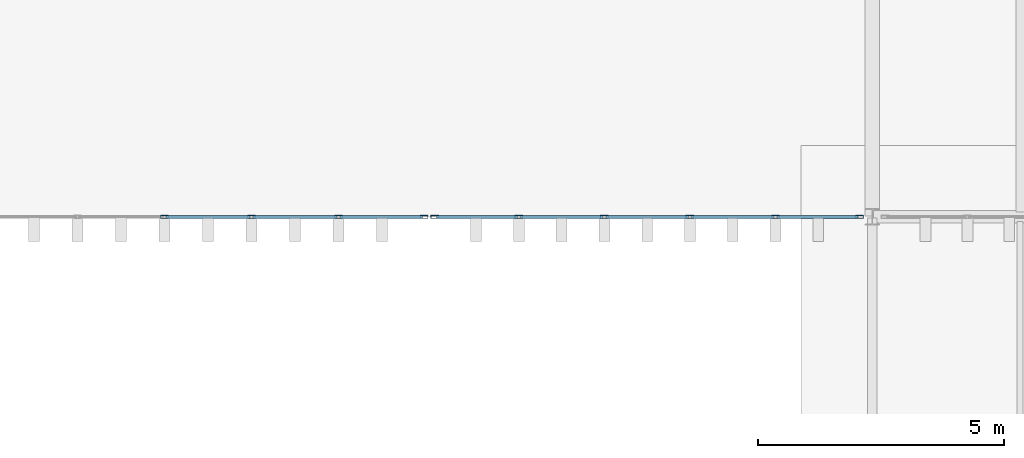
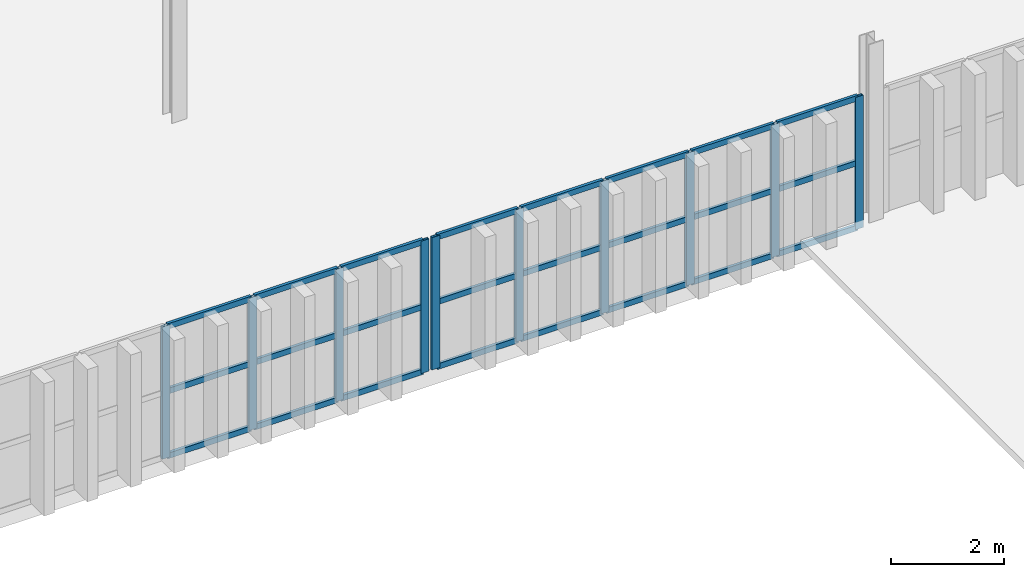
# One storey, part 26 of 102: 34 members, 2 elements without a shape of their own.
"""IFC4 building model written with IfcOpenShell, lengths in metres."""

from ifc_helpers import new_model, si_unit, direction, frame, origin, origin_2d, place, context, subcontext, project, spatial, hollow_rectangle, extrude, material, layer, layer_set, material_profile, profile_set, type_object, element, aggregate, save


model = new_model("IFC4")

# Units and contexts
model_context = context("Model", 3, precision=1e-05, world=origin(), true_north=direction((0.0, 1.0)))
body_context = subcontext(model_context, "Body", "Model", "MODEL_VIEW")
ifc_project = project(units=[si_unit("LENGTHUNIT", "METRE"), si_unit("AREAUNIT", "SQUARE_METRE"), si_unit("VOLUMEUNIT", "CUBIC_METRE"), si_unit("PLANEANGLEUNIT", "RADIAN"), si_unit("MASSUNIT", "GRAM", prefix="KILO")], contexts=[model_context])

# Site, building, storey
site_placement = place(None, origin())
site = spatial("IfcSite", under=ifc_project, at=site_placement, CompositionType="ELEMENT")
building_placement = place(site_placement, origin())
building = spatial("IfcBuilding", under=site, at=building_placement, Name="Barlavento Convention Centre", CompositionType="ELEMENT")
storey_placement = place(building_placement, frame((0.0, 0.0, 22.800048828125)))
storey = spatial("IfcBuildingStorey", under=building, at=storey_placement, Name="L04", CompositionType="ELEMENT", Elevation=22.800048828125)

# Curtain wall, members
ifc_material_1 = material(Name="Powder-coated aluminium and Low-E glass", Category="aluminium")
ifc_layer = layer(ifc_material_1, 0.18505859375)
ifc_layer_set = layer_set([ifc_layer], Name="ARC-CW-CONF-L04")
curtain_wall_type = type_object("IfcCurtainWallType", Name="ARC-CW-CONF-L04", PredefinedType="NOTDEFINED", material=ifc_layer_set)
curtain_wall_1_placement = place(storey_placement, origin())
curtain_wall_1 = element("IfcCurtainWall", 1, at=curtain_wall_1_placement, inside=storey, type_object=curtain_wall_type, Name="L04 unitised curtain wall CW09", PredefinedType="NOTDEFINED")
ifc_material_2 = material(Name="Powder-coated aluminium", Category="aluminium")
ifc_material_profile_1 = material_profile(ifc_material_2, hollow_rectangle(XDim=0.06005859375, YDim=0.159912109375, WallThickness=0.00390625, at=origin_2d()), Name="AL-MULL 60x160x4")
ifc_profile_set_1 = profile_set([ifc_material_profile_1], Name="Powder-coated aluminium")
member_type_1 = type_object("IfcMemberType", Name="ARC-CWM-60X160", PredefinedType="MULLION", material=ifc_profile_set_1)
member_1_placement = place(storey_placement, frame((156.615966796875, 27.0, 0.0), z_axis=(0.0, 0.0, 1.0), x_axis=(0.0, 1.0, 0.0)))
member_1 = element("IfcMember", 2, at=member_1_placement, type_object=member_type_1, Name="CW09 mullion 3", PredefinedType="MULLION", context=body_context, shape_type="SweptSolid", body=[
    extrude(hollow_rectangle(XDim=0.06005859375, YDim=0.159912109375, WallThickness=0.00390625, at=origin_2d()), origin(), (0.0, 0.0, 1.0), 2.849853515625),
])
member_2_placement = place(storey_placement, frame((158.384033203125, 27.0, 0.0), z_axis=(0.0, 0.0, 1.0), x_axis=(0.0, 1.0, 0.0)))
member_2 = element("IfcMember", 3, at=member_2_placement, type_object=member_type_1, Name="CW09 mullion 4", PredefinedType="MULLION", context=body_context, shape_type="SweptSolid", body=[
    extrude(hollow_rectangle(XDim=0.06005859375, YDim=0.159912109375, WallThickness=0.00390625, at=origin_2d()), origin(), (0.0, 0.0, 1.0), 2.849853515625),
])
member_3_placement = place(storey_placement, frame((160.152099609375, 27.0, 0.0), z_axis=(0.0, 0.0, 1.0), x_axis=(0.0, 1.0, 0.0)))
member_3 = element("IfcMember", 4, at=member_3_placement, type_object=member_type_1, Name="CW09 mullion 5", PredefinedType="MULLION", context=body_context, shape_type="SweptSolid", body=[
    extrude(hollow_rectangle(XDim=0.06005859375, YDim=0.159912109375, WallThickness=0.00390625, at=origin_2d()), origin(), (0.0, 0.0, 1.0), 2.849853515625),
])
member_4_placement = place(storey_placement, frame((161.889892578125, 27.0, 0.0), z_axis=(0.0, 0.0, 1.0), x_axis=(0.0, 1.0, 0.0)))
member_4 = element("IfcMember", 5, at=member_4_placement, type_object=member_type_1, Name="CW09 mullion 6", PredefinedType="MULLION", context=body_context, shape_type="SweptSolid", body=[
    extrude(hollow_rectangle(XDim=0.06005859375, YDim=0.159912109375, WallThickness=0.00390625, at=origin_2d()), origin(), (0.0, 0.0, 1.0), 2.849853515625),
])

curtain_wall_2_placement = place(storey_placement, origin())
curtain_wall_2 = element("IfcCurtainWall", 6, at=curtain_wall_2_placement, inside=storey, type_object=curtain_wall_type, Name="L04 unitised curtain wall CW09", PredefinedType="NOTDEFINED")
member_5_placement = place(storey_placement, frame((162.110107421875, 27.0, 0.0), z_axis=(0.0, 0.0, 1.0), x_axis=(0.0, 1.0, 0.0)))
member_5 = element("IfcMember", 7, at=member_5_placement, type_object=member_type_1, Name="CW09 mullion 1", PredefinedType="MULLION", context=body_context, shape_type="SweptSolid", body=[
    extrude(hollow_rectangle(XDim=0.06005859375, YDim=0.159912109375, WallThickness=0.00390625, at=origin_2d()), origin(), (0.0, 0.0, 1.0), 2.849853515625),
])
member_6_placement = place(storey_placement, frame((163.818115234375, 27.0, 0.0), z_axis=(0.0, 0.0, 1.0), x_axis=(0.0, 1.0, 0.0)))
member_6 = element("IfcMember", 8, at=member_6_placement, type_object=member_type_1, Name="CW09 mullion 2", PredefinedType="MULLION", context=body_context, shape_type="SweptSolid", body=[
    extrude(hollow_rectangle(XDim=0.06005859375, YDim=0.159912109375, WallThickness=0.00390625, at=origin_2d()), origin(), (0.0, 0.0, 1.0), 2.849853515625),
])
member_7_placement = place(storey_placement, frame((165.555908203125, 27.0, 0.0), z_axis=(0.0, 0.0, 1.0), x_axis=(0.0, 1.0, 0.0)))
member_7 = element("IfcMember", 9, at=member_7_placement, type_object=member_type_1, Name="CW09 mullion 3", PredefinedType="MULLION", context=body_context, shape_type="SweptSolid", body=[
    extrude(hollow_rectangle(XDim=0.06005859375, YDim=0.159912109375, WallThickness=0.00390625, at=origin_2d()), origin(), (0.0, 0.0, 1.0), 2.849853515625),
])
member_8_placement = place(storey_placement, frame((167.2939453125, 27.0, 0.0), z_axis=(0.0, 0.0, 1.0), x_axis=(0.0, 1.0, 0.0)))
member_8 = element("IfcMember", 10, at=member_8_placement, type_object=member_type_1, Name="CW09 mullion 4", PredefinedType="MULLION", context=body_context, shape_type="SweptSolid", body=[
    extrude(hollow_rectangle(XDim=0.06005859375, YDim=0.159912109375, WallThickness=0.00390625, at=origin_2d()), origin(), (0.0, 0.0, 1.0), 2.849853515625),
])
member_9_placement = place(storey_placement, frame((169.031982421875, 27.0, 0.0), z_axis=(0.0, 0.0, 1.0), x_axis=(0.0, 1.0, 0.0)))
member_9 = element("IfcMember", 11, at=member_9_placement, type_object=member_type_1, Name="CW09 mullion 5", PredefinedType="MULLION", context=body_context, shape_type="SweptSolid", body=[
    extrude(hollow_rectangle(XDim=0.06005859375, YDim=0.159912109375, WallThickness=0.00390625, at=origin_2d()), origin(), (0.0, 0.0, 1.0), 2.849853515625),
])
member_10_placement = place(storey_placement, frame((170.739990234375, 27.0, 0.0), z_axis=(0.0, 0.0, 1.0), x_axis=(0.0, 1.0, 0.0)))
member_10 = element("IfcMember", 12, at=member_10_placement, type_object=member_type_1, Name="CW09 mullion 6", PredefinedType="MULLION", context=body_context, shape_type="SweptSolid", body=[
    extrude(hollow_rectangle(XDim=0.06005859375, YDim=0.159912109375, WallThickness=0.00390625, at=origin_2d()), origin(), (0.0, 0.0, 1.0), 2.849853515625),
])

# Member
ifc_material_profile_2 = material_profile(ifc_material_2, hollow_rectangle(XDim=0.06005859375, YDim=0.1201171875, WallThickness=0.00390625, at=origin_2d()), Name="AL-TRAN 60x120x4")
ifc_profile_set_2 = profile_set([ifc_material_profile_2], Name="Powder-coated aluminium")
member_type_2 = type_object("IfcMemberType", Name="ARC-CWT-60X120", PredefinedType="USERDEFINED", material=ifc_profile_set_2)
member_11_placement = place(storey_placement, frame((156.64599609375, 27.0, 0.030029296875), z_axis=(1.0, 0.0, 0.0), x_axis=(0.0, 1.0, 0.0)))
member_11 = element("IfcMember", 13, at=member_11_placement, type_object=member_type_2, Name="CW09 transom 3.1", ObjectType="TRANSOM", PredefinedType="USERDEFINED", context=body_context, shape_type="SweptSolid", body=[
    extrude(hollow_rectangle(XDim=0.06005859375, YDim=0.1201171875, WallThickness=0.00390625, at=origin_2d()), origin(), (0.0, 0.0, 1.0), 1.7080078125),
])

member_12_placement = place(storey_placement, frame((156.64599609375, 27.0, 1.425048828125), z_axis=(1.0, 0.0, 0.0), x_axis=(0.0, 1.0, 0.0)))
member_12 = element("IfcMember", 14, at=member_12_placement, type_object=member_type_2, Name="CW09 transom 3.2", ObjectType="TRANSOM", PredefinedType="USERDEFINED", context=body_context, shape_type="SweptSolid", body=[
    extrude(hollow_rectangle(XDim=0.06005859375, YDim=0.1201171875, WallThickness=0.00390625, at=origin_2d()), origin(), (0.0, 0.0, 1.0), 1.7080078125),
])

member_13_placement = place(storey_placement, frame((156.64599609375, 27.0, 2.820068359375), z_axis=(1.0, 0.0, 0.0), x_axis=(0.0, 1.0, 0.0)))
member_13 = element("IfcMember", 15, at=member_13_placement, type_object=member_type_2, Name="CW09 transom 3.3", ObjectType="TRANSOM", PredefinedType="USERDEFINED", context=body_context, shape_type="SweptSolid", body=[
    extrude(hollow_rectangle(XDim=0.06005859375, YDim=0.1201171875, WallThickness=0.00390625, at=origin_2d()), origin(), (0.0, 0.0, 1.0), 1.7080078125),
])

member_14_placement = place(storey_placement, frame((158.4140625, 27.0, 0.030029296875), z_axis=(1.0, 0.0, 0.0), x_axis=(0.0, 1.0, 0.0)))
member_14 = element("IfcMember", 16, at=member_14_placement, type_object=member_type_2, Name="CW09 transom 4.1", ObjectType="TRANSOM", PredefinedType="USERDEFINED", context=body_context, shape_type="SweptSolid", body=[
    extrude(hollow_rectangle(XDim=0.06005859375, YDim=0.1201171875, WallThickness=0.00390625, at=origin_2d()), origin(), (0.0, 0.0, 1.0), 1.7080078125),
])

member_15_placement = place(storey_placement, frame((158.4140625, 27.0, 1.425048828125), z_axis=(1.0, 0.0, 0.0), x_axis=(0.0, 1.0, 0.0)))
member_15 = element("IfcMember", 17, at=member_15_placement, type_object=member_type_2, Name="CW09 transom 4.2", ObjectType="TRANSOM", PredefinedType="USERDEFINED", context=body_context, shape_type="SweptSolid", body=[
    extrude(hollow_rectangle(XDim=0.06005859375, YDim=0.1201171875, WallThickness=0.00390625, at=origin_2d()), origin(), (0.0, 0.0, 1.0), 1.7080078125),
])

member_16_placement = place(storey_placement, frame((158.4140625, 27.0, 2.820068359375), z_axis=(1.0, 0.0, 0.0), x_axis=(0.0, 1.0, 0.0)))
member_16 = element("IfcMember", 18, at=member_16_placement, type_object=member_type_2, Name="CW09 transom 4.3", ObjectType="TRANSOM", PredefinedType="USERDEFINED", context=body_context, shape_type="SweptSolid", body=[
    extrude(hollow_rectangle(XDim=0.06005859375, YDim=0.1201171875, WallThickness=0.00390625, at=origin_2d()), origin(), (0.0, 0.0, 1.0), 1.7080078125),
])

member_17_placement = place(storey_placement, frame((160.181884765625, 27.0, 0.030029296875), z_axis=(1.0, 0.0, 0.0), x_axis=(0.0, 1.0, 0.0)))
member_17 = element("IfcMember", 19, at=member_17_placement, type_object=member_type_2, Name="CW09 transom 5.1", ObjectType="TRANSOM", PredefinedType="USERDEFINED", context=body_context, shape_type="SweptSolid", body=[
    extrude(hollow_rectangle(XDim=0.06005859375, YDim=0.1201171875, WallThickness=0.00390625, at=origin_2d()), origin(), (0.0, 0.0, 1.0), 1.67822265625),
])

member_18_placement = place(storey_placement, frame((160.181884765625, 27.0, 1.425048828125), z_axis=(1.0, 0.0, 0.0), x_axis=(0.0, 1.0, 0.0)))
member_18 = element("IfcMember", 20, at=member_18_placement, type_object=member_type_2, Name="CW09 transom 5.2", ObjectType="TRANSOM", PredefinedType="USERDEFINED", context=body_context, shape_type="SweptSolid", body=[
    extrude(hollow_rectangle(XDim=0.06005859375, YDim=0.1201171875, WallThickness=0.00390625, at=origin_2d()), origin(), (0.0, 0.0, 1.0), 1.67822265625),
])

member_19_placement = place(storey_placement, frame((160.181884765625, 27.0, 2.820068359375), z_axis=(1.0, 0.0, 0.0), x_axis=(0.0, 1.0, 0.0)))
member_19 = element("IfcMember", 21, at=member_19_placement, type_object=member_type_2, Name="CW09 transom 5.3", ObjectType="TRANSOM", PredefinedType="USERDEFINED", context=body_context, shape_type="SweptSolid", body=[
    extrude(hollow_rectangle(XDim=0.06005859375, YDim=0.1201171875, WallThickness=0.00390625, at=origin_2d()), origin(), (0.0, 0.0, 1.0), 1.67822265625),
])

aggregate(curtain_wall_1, [member_1, member_2, member_3, member_4, member_11, member_12, member_13, member_14, member_15, member_16, member_17, member_18, member_19])

member_20_placement = place(storey_placement, frame((162.139892578125, 27.0, 0.030029296875), z_axis=(1.0, 0.0, 0.0), x_axis=(0.0, 1.0, 0.0)))
member_20 = element("IfcMember", 22, at=member_20_placement, type_object=member_type_2, Name="CW09 transom 1.1", ObjectType="TRANSOM", PredefinedType="USERDEFINED", context=body_context, shape_type="SweptSolid", body=[
    extrude(hollow_rectangle(XDim=0.06005859375, YDim=0.1201171875, WallThickness=0.00390625, at=origin_2d()), origin(), (0.0, 0.0, 1.0), 1.648193359375),
])

member_21_placement = place(storey_placement, frame((162.139892578125, 27.0, 1.425048828125), z_axis=(1.0, 0.0, 0.0), x_axis=(0.0, 1.0, 0.0)))
member_21 = element("IfcMember", 23, at=member_21_placement, type_object=member_type_2, Name="CW09 transom 1.2", ObjectType="TRANSOM", PredefinedType="USERDEFINED", context=body_context, shape_type="SweptSolid", body=[
    extrude(hollow_rectangle(XDim=0.06005859375, YDim=0.1201171875, WallThickness=0.00390625, at=origin_2d()), origin(), (0.0, 0.0, 1.0), 1.648193359375),
])

member_22_placement = place(storey_placement, frame((162.139892578125, 27.0, 2.820068359375), z_axis=(1.0, 0.0, 0.0), x_axis=(0.0, 1.0, 0.0)))
member_22 = element("IfcMember", 24, at=member_22_placement, type_object=member_type_2, Name="CW09 transom 1.3", ObjectType="TRANSOM", PredefinedType="USERDEFINED", context=body_context, shape_type="SweptSolid", body=[
    extrude(hollow_rectangle(XDim=0.06005859375, YDim=0.1201171875, WallThickness=0.00390625, at=origin_2d()), origin(), (0.0, 0.0, 1.0), 1.648193359375),
])

member_23_placement = place(storey_placement, frame((163.847900390625, 27.0, 0.030029296875), z_axis=(1.0, 0.0, 0.0), x_axis=(0.0, 1.0, 0.0)))
member_23 = element("IfcMember", 25, at=member_23_placement, type_object=member_type_2, Name="CW09 transom 2.1", ObjectType="TRANSOM", PredefinedType="USERDEFINED", context=body_context, shape_type="SweptSolid", body=[
    extrude(hollow_rectangle(XDim=0.06005859375, YDim=0.1201171875, WallThickness=0.00390625, at=origin_2d()), origin(), (0.0, 0.0, 1.0), 1.677978515625),
])

member_24_placement = place(storey_placement, frame((163.847900390625, 27.0, 1.425048828125), z_axis=(1.0, 0.0, 0.0), x_axis=(0.0, 1.0, 0.0)))
member_24 = element("IfcMember", 26, at=member_24_placement, type_object=member_type_2, Name="CW09 transom 2.2", ObjectType="TRANSOM", PredefinedType="USERDEFINED", context=body_context, shape_type="SweptSolid", body=[
    extrude(hollow_rectangle(XDim=0.06005859375, YDim=0.1201171875, WallThickness=0.00390625, at=origin_2d()), origin(), (0.0, 0.0, 1.0), 1.677978515625),
])

member_25_placement = place(storey_placement, frame((163.847900390625, 27.0, 2.820068359375), z_axis=(1.0, 0.0, 0.0), x_axis=(0.0, 1.0, 0.0)))
member_25 = element("IfcMember", 27, at=member_25_placement, type_object=member_type_2, Name="CW09 transom 2.3", ObjectType="TRANSOM", PredefinedType="USERDEFINED", context=body_context, shape_type="SweptSolid", body=[
    extrude(hollow_rectangle(XDim=0.06005859375, YDim=0.1201171875, WallThickness=0.00390625, at=origin_2d()), origin(), (0.0, 0.0, 1.0), 1.677978515625),
])

member_26_placement = place(storey_placement, frame((165.5859375, 27.0, 0.030029296875), z_axis=(1.0, 0.0, 0.0), x_axis=(0.0, 1.0, 0.0)))
member_26 = element("IfcMember", 28, at=member_26_placement, type_object=member_type_2, Name="CW09 transom 3.1", ObjectType="TRANSOM", PredefinedType="USERDEFINED", context=body_context, shape_type="SweptSolid", body=[
    extrude(hollow_rectangle(XDim=0.06005859375, YDim=0.1201171875, WallThickness=0.00390625, at=origin_2d()), origin(), (0.0, 0.0, 1.0), 1.677978515625),
])

member_27_placement = place(storey_placement, frame((165.5859375, 27.0, 1.425048828125), z_axis=(1.0, 0.0, 0.0), x_axis=(0.0, 1.0, 0.0)))
member_27 = element("IfcMember", 29, at=member_27_placement, type_object=member_type_2, Name="CW09 transom 3.2", ObjectType="TRANSOM", PredefinedType="USERDEFINED", context=body_context, shape_type="SweptSolid", body=[
    extrude(hollow_rectangle(XDim=0.06005859375, YDim=0.1201171875, WallThickness=0.00390625, at=origin_2d()), origin(), (0.0, 0.0, 1.0), 1.677978515625),
])

member_28_placement = place(storey_placement, frame((165.5859375, 27.0, 2.820068359375), z_axis=(1.0, 0.0, 0.0), x_axis=(0.0, 1.0, 0.0)))
member_28 = element("IfcMember", 30, at=member_28_placement, type_object=member_type_2, Name="CW09 transom 3.3", ObjectType="TRANSOM", PredefinedType="USERDEFINED", context=body_context, shape_type="SweptSolid", body=[
    extrude(hollow_rectangle(XDim=0.06005859375, YDim=0.1201171875, WallThickness=0.00390625, at=origin_2d()), origin(), (0.0, 0.0, 1.0), 1.677978515625),
])

member_29_placement = place(storey_placement, frame((167.323974609375, 27.0, 0.030029296875), z_axis=(1.0, 0.0, 0.0), x_axis=(0.0, 1.0, 0.0)))
member_29 = element("IfcMember", 31, at=member_29_placement, type_object=member_type_2, Name="CW09 transom 4.1", ObjectType="TRANSOM", PredefinedType="USERDEFINED", context=body_context, shape_type="SweptSolid", body=[
    extrude(hollow_rectangle(XDim=0.06005859375, YDim=0.1201171875, WallThickness=0.00390625, at=origin_2d()), origin(), (0.0, 0.0, 1.0), 1.677978515625),
])

member_30_placement = place(storey_placement, frame((167.323974609375, 27.0, 1.425048828125), z_axis=(1.0, 0.0, 0.0), x_axis=(0.0, 1.0, 0.0)))
member_30 = element("IfcMember", 32, at=member_30_placement, type_object=member_type_2, Name="CW09 transom 4.2", ObjectType="TRANSOM", PredefinedType="USERDEFINED", context=body_context, shape_type="SweptSolid", body=[
    extrude(hollow_rectangle(XDim=0.06005859375, YDim=0.1201171875, WallThickness=0.00390625, at=origin_2d()), origin(), (0.0, 0.0, 1.0), 1.677978515625),
])

member_31_placement = place(storey_placement, frame((167.323974609375, 27.0, 2.820068359375), z_axis=(1.0, 0.0, 0.0), x_axis=(0.0, 1.0, 0.0)))
member_31 = element("IfcMember", 33, at=member_31_placement, type_object=member_type_2, Name="CW09 transom 4.3", ObjectType="TRANSOM", PredefinedType="USERDEFINED", context=body_context, shape_type="SweptSolid", body=[
    extrude(hollow_rectangle(XDim=0.06005859375, YDim=0.1201171875, WallThickness=0.00390625, at=origin_2d()), origin(), (0.0, 0.0, 1.0), 1.677978515625),
])

member_32_placement = place(storey_placement, frame((169.06201171875, 27.0, 0.030029296875), z_axis=(1.0, 0.0, 0.0), x_axis=(0.0, 1.0, 0.0)))
member_32 = element("IfcMember", 34, at=member_32_placement, type_object=member_type_2, Name="CW09 transom 5.1", ObjectType="TRANSOM", PredefinedType="USERDEFINED", context=body_context, shape_type="SweptSolid", body=[
    extrude(hollow_rectangle(XDim=0.06005859375, YDim=0.1201171875, WallThickness=0.00390625, at=origin_2d()), origin(), (0.0, 0.0, 1.0), 1.64794921875),
])

member_33_placement = place(storey_placement, frame((169.06201171875, 27.0, 1.425048828125), z_axis=(1.0, 0.0, 0.0), x_axis=(0.0, 1.0, 0.0)))
member_33 = element("IfcMember", 35, at=member_33_placement, type_object=member_type_2, Name="CW09 transom 5.2", ObjectType="TRANSOM", PredefinedType="USERDEFINED", context=body_context, shape_type="SweptSolid", body=[
    extrude(hollow_rectangle(XDim=0.06005859375, YDim=0.1201171875, WallThickness=0.00390625, at=origin_2d()), origin(), (0.0, 0.0, 1.0), 1.64794921875),
])

member_34_placement = place(storey_placement, frame((169.06201171875, 27.0, 2.820068359375), z_axis=(1.0, 0.0, 0.0), x_axis=(0.0, 1.0, 0.0)))
member_34 = element("IfcMember", 36, at=member_34_placement, type_object=member_type_2, Name="CW09 transom 5.3", ObjectType="TRANSOM", PredefinedType="USERDEFINED", context=body_context, shape_type="SweptSolid", body=[
    extrude(hollow_rectangle(XDim=0.06005859375, YDim=0.1201171875, WallThickness=0.00390625, at=origin_2d()), origin(), (0.0, 0.0, 1.0), 1.64794921875),
])

aggregate(curtain_wall_2, [member_5, member_6, member_7, member_8, member_9, member_10, member_20, member_21, member_22, member_23, member_24, member_25, member_26, member_27, member_28, member_29, member_30, member_31, member_32, member_33, member_34])

save(model, "model.ifc")
